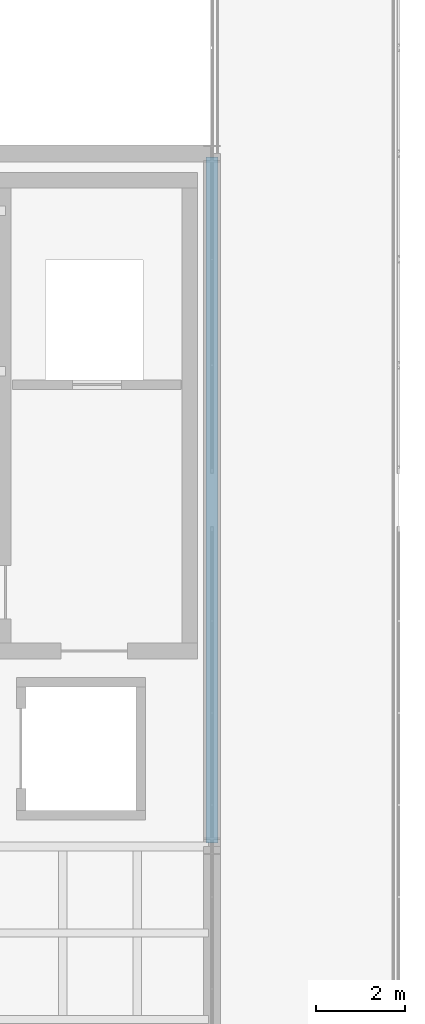
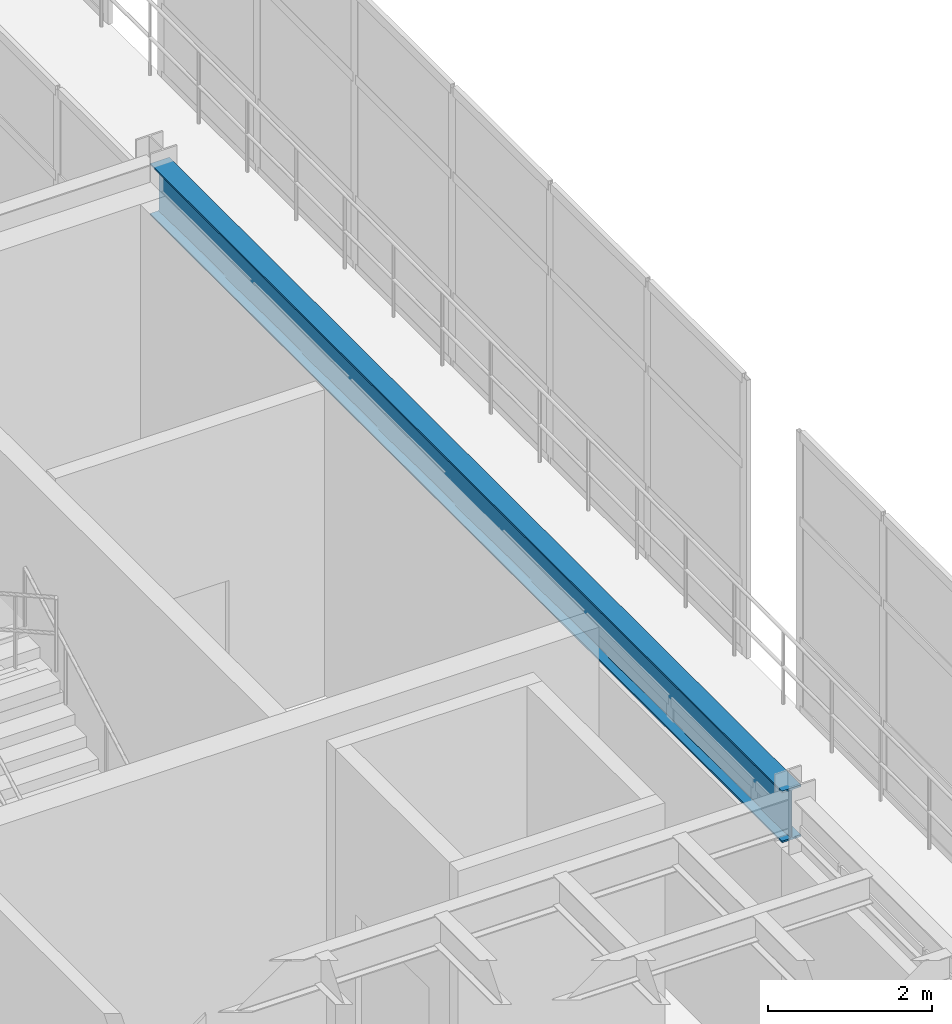
# One storey, part 58 of 116: 1 beam.
"""IFC4 building model written with IfcOpenShell, lengths in metres."""

from ifc_helpers import new_model, si_unit, direction, frame, origin, origin_2d, place, context, subcontext, project, spatial, i_section, extrude, material, material_profile, profile_set, type_object, element, save


model = new_model("IFC4")

# Units and contexts
model_context = context("Model", 3, precision=1e-05, world=origin(), true_north=direction((0.0, 1.0)))
body_context = subcontext(model_context, "Body", "Model", "MODEL_VIEW")
ifc_project = project(units=[si_unit("LENGTHUNIT", "METRE"), si_unit("AREAUNIT", "SQUARE_METRE"), si_unit("VOLUMEUNIT", "CUBIC_METRE"), si_unit("PLANEANGLEUNIT", "RADIAN"), si_unit("MASSUNIT", "GRAM", prefix="KILO")], contexts=[model_context])

# Site, building, storey
site_placement = place(None, origin())
site = spatial("IfcSite", under=ifc_project, at=site_placement, CompositionType="ELEMENT")
building_placement = place(site_placement, origin())
building = spatial("IfcBuilding", under=site, at=building_placement, Name="Selat Folded Stagehouse", CompositionType="ELEMENT")
storey_placement = place(building_placement, frame((0.0, 0.0, 5.39990234375)))
storey = spatial("IfcBuildingStorey", under=building, at=storey_placement, Name="L01", CompositionType="ELEMENT", Elevation=5.39990234375)

# Beam
ifc_material = material(Name="Steel S355", Category="steel")
ifc_material_profile = material_profile(ifc_material, i_section(OverallWidth=0.26806640625, OverallDepth=0.769775390625, WebThickness=0.015625, FlangeThickness=0.025390625, FilletRadius=0.0166015625, at=origin_2d()), Name="UKB 762x267x197")
ifc_profile_set = profile_set([ifc_material_profile], Name="Steel S355")
beam_type = type_object("IfcBeamType", Name="BM-GIRD-762x267x197", PredefinedType="BEAM", material=ifc_profile_set)
beam_placement = place(storey_placement, frame((67.199951171875, 39.080078125, 4.1953125), z_axis=(0.0, 1.0, 0.0), x_axis=(-1.0, 0.0, 0.0)))
element("IfcBeam", 1, at=beam_placement, inside=storey, type_object=beam_type, Name="L01 primary y-girder 0826", PredefinedType="BEAM", context=body_context, shape_type="SweptSolid", body=[
    extrude(i_section(OverallWidth=0.26806640625, OverallDepth=0.769775390625, WebThickness=0.015625, FlangeThickness=0.025390625, FilletRadius=0.0166015625, at=origin_2d()), origin(), (0.0, 0.0, 1.0), 15.43994140625),
])

save(model, "model.ifc")
